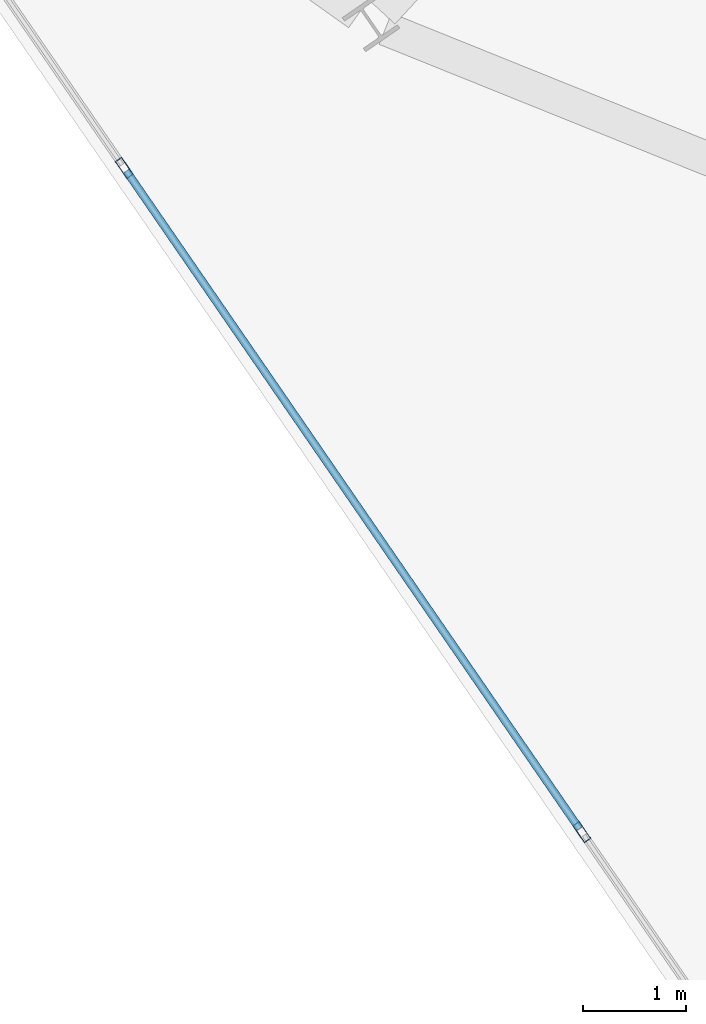
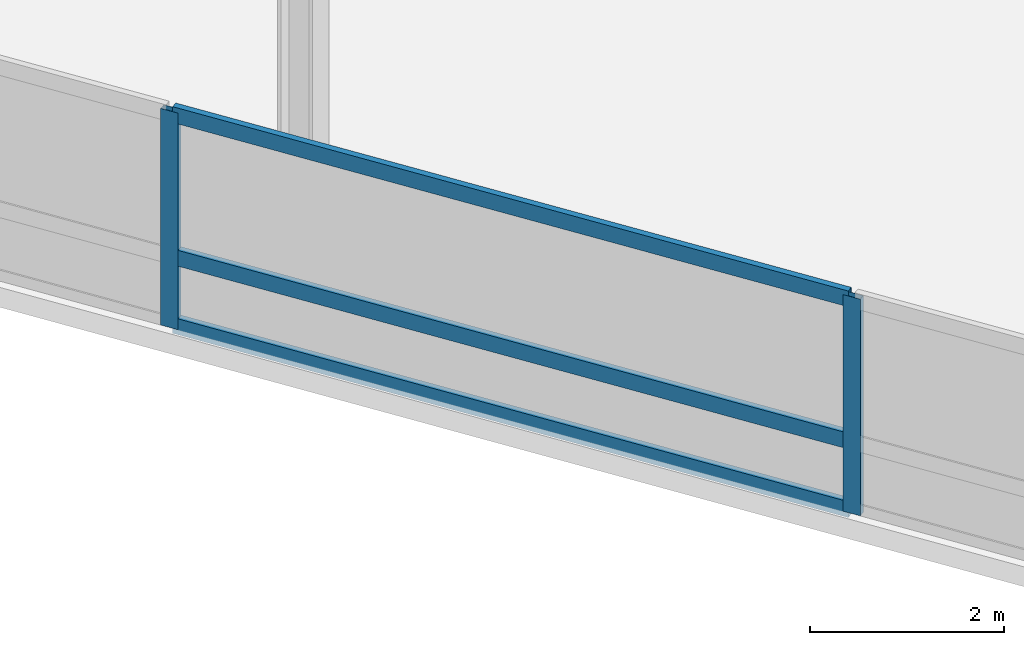
# One storey, part 3 of 23: 5 members, 1 element without a shape of its own.
"""IFC4 building model written with IfcOpenShell, lengths in metres."""

from ifc_helpers import new_model, si_unit, direction, frame, origin, origin_2d, place, context, subcontext, project, spatial, hollow_rectangle, extrude, material, layer, layer_set, material_profile, profile_set, type_object, element, aggregate, save


model = new_model("IFC4")

# Units and contexts
model_context = context("Model", 3, precision=1e-05, world=origin(), true_north=direction((0.0, 1.0)))
body_context = subcontext(model_context, "Body", "Model", "MODEL_VIEW")
ifc_project = project(units=[si_unit("LENGTHUNIT", "METRE"), si_unit("AREAUNIT", "SQUARE_METRE"), si_unit("VOLUMEUNIT", "CUBIC_METRE"), si_unit("PLANEANGLEUNIT", "RADIAN"), si_unit("MASSUNIT", "GRAM", prefix="KILO")], contexts=[model_context])

# Site, building, storey
site_placement = place(None, origin())
site = spatial("IfcSite", under=ifc_project, at=site_placement, CompositionType="ELEMENT")
building_placement = place(site_placement, origin())
building = spatial("IfcBuilding", under=site, at=building_placement, Name="Varnelok Gate Tower", CompositionType="ELEMENT")
storey_placement = place(building_placement, frame((0.0, 0.0, 258.199951171875)))
storey = spatial("IfcBuildingStorey", under=building, at=storey_placement, Name="L66", CompositionType="ELEMENT", Elevation=258.199951171875)

# Curtain wall, members
ifc_material = material(Name="Anodized Aluminum Alloy 6063-T6", Category="aluminium")
ifc_layer = layer(ifc_material, 0.179931640625)
ifc_layer_set = layer_set([ifc_layer], Name="Anodized Aluminum Alloy 6063-T6")
curtain_wall_type = type_object("IfcCurtainWallType", Name="CW4-RESIDENCE-VISION", PredefinedType="USERDEFINED", material=ifc_layer_set)
curtain_wall_placement = place(storey_placement, origin())
curtain_wall = element("IfcCurtainWall", 1, at=curtain_wall_placement, inside=storey, type_object=curtain_wall_type, Name="L66 West End Vision Curtain Wall", ObjectType="UNITISED CURTAIN WALL", PredefinedType="USERDEFINED")
ifc_material_profile_1 = material_profile(ifc_material, hollow_rectangle(XDim=0.074951171875, YDim=0.199951171875, WallThickness=0.00390625, at=origin_2d()), Name="ALU200X75X4")
ifc_profile_set_1 = profile_set([ifc_material_profile_1], Name="Anodized Aluminum Alloy 6063-T6")
member_type_1 = type_object("IfcMemberType", Name="CW-MULL-200", PredefinedType="MULLION", material=ifc_profile_set_1)
member_1_placement = place(storey_placement, frame((16.481201171875, 0.17919921875, 0.0), z_axis=(0.0, 0.0, 1.0), x_axis=(-0.823532290241, -0.567269395376, 0.0)))
member_1 = element("IfcMember", 2, at=member_1_placement, type_object=member_type_1, Name="CW4 mullion 2", PredefinedType="MULLION", context=body_context, shape_type="SweptSolid", body=[
    extrude(hollow_rectangle(XDim=0.074951171875, YDim=0.199951171875, WallThickness=0.00390625, at=origin_2d()), origin(), (0.0, 0.0, 1.0), 2.72998046875),
])
member_2_placement = place(storey_placement, frame((12.056396484375, 6.602783203125, 0.0), z_axis=(0.0, 0.0, 1.0), x_axis=(-0.823532290241, -0.567269395376, 0.0)))
member_2 = element("IfcMember", 3, at=member_2_placement, type_object=member_type_1, Name="CW4 mullion 3", PredefinedType="MULLION", context=body_context, shape_type="SweptSolid", body=[
    extrude(hollow_rectangle(XDim=0.074951171875, YDim=0.199951171875, WallThickness=0.00390625, at=origin_2d()), origin(), (0.0, 0.0, 1.0), 2.72998046875),
])
ifc_material_profile_2 = material_profile(ifc_material, hollow_rectangle(XDim=0.074951171875, YDim=0.199951171875, WallThickness=0.00390625, at=origin_2d()), Name="ALU200X75X4")
ifc_profile_set_2 = profile_set([ifc_material_profile_2], Name="Anodized Aluminum Alloy 6063-T6")
member_type_2 = type_object("IfcMemberType", Name="CW-TRAN-200", PredefinedType="USERDEFINED", material=ifc_profile_set_2)
member_3_placement = place(storey_placement, frame((16.459716796875, 0.210205078125, 0.03759765625), z_axis=(-0.567260941086, 0.823538113701, 0.0), x_axis=(-0.823538113701, -0.567260941086, 0.0)))
member_3 = element("IfcMember", 4, at=member_3_placement, type_object=member_type_2, Name="CW4 transom 2.1", ObjectType="TRANSOM", PredefinedType="USERDEFINED", context=body_context, shape_type="SweptSolid", body=[
    extrude(hollow_rectangle(XDim=0.074951171875, YDim=0.199951171875, WallThickness=0.00390625, at=origin_2d()), origin(), (0.0, 0.0, 1.0), 7.72509765625),
])
member_4_placement = place(storey_placement, frame((16.459716796875, 0.210205078125, 0.900146484375), z_axis=(-0.567260941086, 0.823538113701, 0.0), x_axis=(-0.823538113701, -0.567260941086, 0.0)))
member_4 = element("IfcMember", 5, at=member_4_placement, type_object=member_type_2, Name="CW4 transom 2.2", ObjectType="TRANSOM", PredefinedType="USERDEFINED", context=body_context, shape_type="SweptSolid", body=[
    extrude(hollow_rectangle(XDim=0.074951171875, YDim=0.199951171875, WallThickness=0.00390625, at=origin_2d()), origin(), (0.0, 0.0, 1.0), 7.72509765625),
])
member_5_placement = place(storey_placement, frame((16.459716796875, 0.210205078125, 2.692626953125), z_axis=(-0.567260941086, 0.823538113701, 0.0), x_axis=(-0.823538113701, -0.567260941086, 0.0)))
member_5 = element("IfcMember", 6, at=member_5_placement, type_object=member_type_2, Name="CW4 transom 2.3", ObjectType="TRANSOM", PredefinedType="USERDEFINED", context=body_context, shape_type="SweptSolid", body=[
    extrude(hollow_rectangle(XDim=0.074951171875, YDim=0.199951171875, WallThickness=0.00390625, at=origin_2d()), origin(), (0.0, 0.0, 1.0), 7.72509765625),
])
aggregate(curtain_wall, [member_1, member_2, member_3, member_4, member_5])

save(model, "model.ifc")
